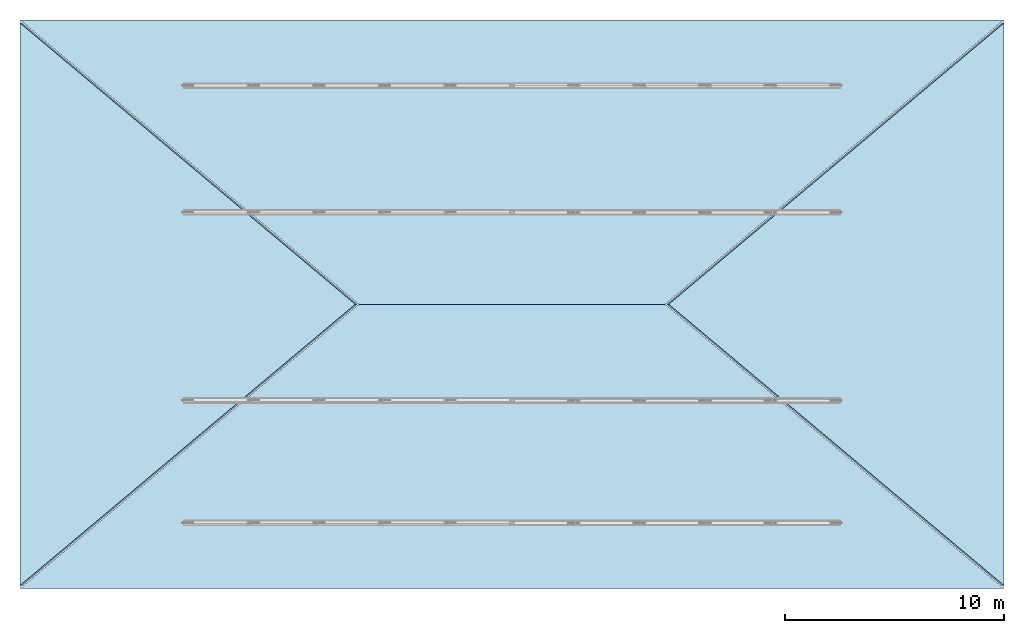
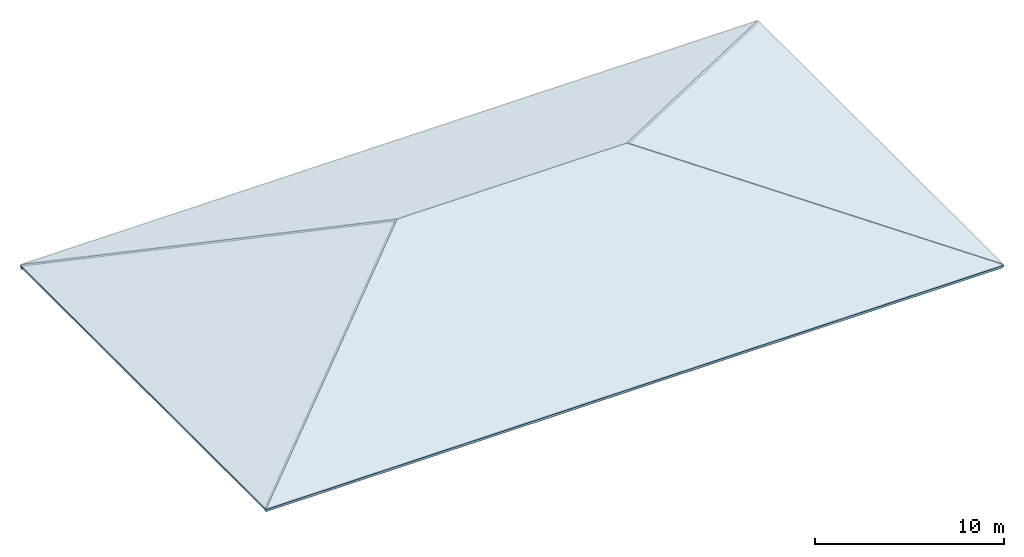
# One storey, part 4 of 6: 4 slabs, 1 element without a shape of its own.
"""IFC4 building model written with IfcOpenShell, lengths in metres."""

import ifcopenshell
import ifcopenshell.guid

model = None  # the IFC model being written
_history = None  # IfcOwnerHistory: only IFC2X3 demands one
_inside = {}  # id of a spatial element -> (the spatial element, [elements in it])
_under = {}  # id of a project, library or spatial element -> (it, [spatial elements below it])
_declared = {}  # id of a project -> (the project, [libraries it declares])
_typed = {}  # id of a type object -> (the type object, [elements of that type])
_made_of = {}  # id of a material, layer set ... -> (it, [elements and type objects made of it])


def new_model(schema):
    """Start an empty IFC model of exactly this schema.

    Asked for "IFC4X3", IfcOpenShell would pick the latest addendum, in which some entities
    have other attributes; the version numbers below select the first issue.
    IFC2X3 requires an IfcOwnerHistory on every rooted entity: one is made here for all.
    """
    global model, _history
    if schema == "IFC4X3":
        model = ifcopenshell.file(schema_version=(4, 3, 0, 0))
    else:
        model = ifcopenshell.file(schema=schema)
    _inside.clear()
    _under.clear()
    _declared.clear()
    _typed.clear()
    _made_of.clear()
    _history = None
    if model.schema == "IFC2X3":
        org = make("IfcOrganization", Name="unknown")
        user = make(
            "IfcPersonAndOrganization",
            ThePerson=make("IfcPerson", FamilyName="unknown"),
            TheOrganization=org,
        )
        app = make(
            "IfcApplication",
            ApplicationDeveloper=org,
            Version="unknown",
            ApplicationFullName="unknown",
            ApplicationIdentifier="unknown",
        )
        _history = make(
            "IfcOwnerHistory",
            OwningUser=user,
            OwningApplication=app,
            ChangeAction="ADDED",
            CreationDate=0,
        )
    return model


def make(cls, **values):
    """One entity of the class cls with the attributes given. An attribute that is None is left unset."""
    return model.create_entity(
        cls, **{name: value for name, value in values.items() if value is not None}
    )


def rooted(cls, **values):
    """An entity with a GlobalId (a new one), such as an element, a storey or a relation."""
    return make(cls, GlobalId=ifcopenshell.guid.new(), OwnerHistory=_history, **values)


def si_unit(unit_type, name, prefix=None):
    """IfcSIUnit, for example si_unit("LENGTHUNIT", "METRE", prefix="MILLI")."""
    return make("IfcSIUnit", UnitType=unit_type, Prefix=prefix, Name=name)


def assignment(units):
    """IfcUnitAssignment: the units of a project."""
    return None if units is None else make("IfcUnitAssignment", Units=units)


def point(xyz):
    """IfcCartesianPoint."""
    return None if xyz is None else make("IfcCartesianPoint", Coordinates=xyz)


def direction(xyz):
    """IfcDirection."""
    return None if xyz is None else make("IfcDirection", DirectionRatios=xyz)


def frame(location, z_axis=None, x_axis=None):
    """IfcAxis2Placement3D, a coordinate frame: its origin and axes. An axis left out is left unset."""
    return make(
        "IfcAxis2Placement3D",
        Location=point(location),
        Axis=direction(z_axis),
        RefDirection=direction(x_axis),
    )


def origin():
    """The frame at (0, 0, 0) with its axes left unset."""
    return frame((0.0, 0.0, 0.0))


def place(relative_to, where):
    """IfcLocalPlacement: puts the frame where relative to a parent placement (None: the world)."""
    return make(
        "IfcLocalPlacement", PlacementRelTo=relative_to, RelativePlacement=where
    )


def context(
    kind, dimensions, precision=None, world=None, true_north=None, identifier=None
):
    """IfcGeometricRepresentationContext, for example the 3D "Model" context."""
    return make(
        "IfcGeometricRepresentationContext",
        ContextIdentifier=identifier,
        ContextType=kind,
        CoordinateSpaceDimension=dimensions,
        Precision=precision,
        WorldCoordinateSystem=world,
        TrueNorth=true_north,
    )


def subcontext(parent, identifier, kind, view, scale=None):
    """IfcGeometricRepresentationSubContext, for example "Body" below "Model"."""
    return make(
        "IfcGeometricRepresentationSubContext",
        ContextIdentifier=identifier,
        ContextType=kind,
        ParentContext=parent,
        TargetScale=scale,
        TargetView=view,
    )


def project(units=None, contexts=None):
    """IfcProject with its units and contexts."""
    return rooted(
        "IfcProject",
        Name="project",
        RepresentationContexts=contexts,
        UnitsInContext=assignment(units),
    )


def spatial(cls, under=None, at=None, **own):
    """A site, building, storey or space (cls), placed at a placement, below another one or the project."""
    s = rooted(cls, ObjectPlacement=at, **own)
    if under is not None:
        _under.setdefault(under.id(), (under, []))[1].append(s)
    return s


def polyline(points):
    """IfcPolyline through the points."""
    return make("IfcPolyline", Points=[point(p) for p in points])


def outline(outer, holes=None, kind="AREA"):
    """IfcArbitraryClosedProfileDef: a profile drawn as a closed curve; with holes, ...WithVoids."""
    if holes is None:
        return make("IfcArbitraryClosedProfileDef", ProfileType=kind, OuterCurve=outer)
    return make(
        "IfcArbitraryProfileDefWithVoids",
        ProfileType=kind,
        OuterCurve=outer,
        InnerCurves=holes,
    )


def extrude(swept, where, along, depth):
    """IfcExtrudedAreaSolid: the profile swept, set in the frame where, extruded along a direction by depth."""
    return make(
        "IfcExtrudedAreaSolid",
        SweptArea=swept,
        Position=where,
        ExtrudedDirection=direction(along),
        Depth=depth,
    )


def shape(context_of_items, identifier, shape_type, items):
    """IfcShapeRepresentation: the items that make up one representation, for example the "Body"."""
    return make(
        "IfcShapeRepresentation",
        ContextOfItems=context_of_items,
        RepresentationIdentifier=identifier,
        RepresentationType=shape_type,
        Items=items,
    )


def material(Name=None, Category=None):
    """IfcMaterial."""
    return make("IfcMaterial", Name=Name, Category=Category)


def layer(
    of_material, thickness, ventilated=None, Name=None, Category=None, Priority=None
):
    """IfcMaterialLayer: one layer of a wall or slab, of a material (None: an air gap)."""
    return make(
        "IfcMaterialLayer",
        Material=of_material,
        LayerThickness=thickness,
        IsVentilated=ventilated,
        Name=Name,
        Category=Category,
        Priority=Priority,
    )


def layer_set(layers, Name=None):
    """IfcMaterialLayerSet."""
    return make("IfcMaterialLayerSet", MaterialLayers=layers, LayerSetName=Name)


def made_of(thing, what):
    """Note that an element or type object is made of a material, layer set ...; save() writes the relation."""
    if what is not None:
        _made_of.setdefault(what.id(), (what, []))[1].append(thing)
    return thing


def type_object(cls, material=None, **own):
    """A type object (cls), such as IfcWallType, which elements share."""
    return made_of(rooted(cls, **own), material)


def element(
    cls,
    number,
    at=None,
    inside=None,
    cuts=None,
    type_object=None,
    material=None,
    context=None,
    identifier="Body",
    shape_type=None,
    held_by="IfcProductDefinitionShape",
    body=None,
    shapes=None,
    **own,
):
    """One element of the class cls, such as IfcWall. Its Tag is "e" and its number.

    at: its placement. inside: the storey or other place that contains it. cuts: it is an
    opening in that element (IfcRelVoidsElement). A single representation is given by context,
    identifier, shape_type and body (its items); several are given by shapes. held_by: the class
    of the entity that holds the representations. save() writes the other relations.
    """
    e = rooted(cls, Tag="e%d" % number, ObjectPlacement=at, **own)
    if body is not None:
        shapes = [shape(context, identifier, shape_type, body)]
    if shapes is not None:
        e.Representation = make(held_by, Representations=shapes)
    if inside is not None:
        _inside.setdefault(inside.id(), (inside, []))[1].append(e)
    if cuts is not None:
        rooted(
            "IfcRelVoidsElement", RelatingBuildingElement=cuts, RelatedOpeningElement=e
        )
    if type_object is not None:
        _typed.setdefault(type_object.id(), (type_object, []))[1].append(e)
    return made_of(e, material)


def aggregate(whole, parts):
    """IfcRelAggregates: a whole, such as a stair, and the parts it consists of."""
    return rooted("IfcRelAggregates", RelatingObject=whole, RelatedObjects=parts)


def save(model, path):
    """Write the relations noted so far, then the file.

    IfcRelAggregates (storeys below a building ...), IfcRelContainedInSpatialStructure (elements
    in a storey), IfcRelDefinesByType, IfcRelAssociatesMaterial and IfcRelDeclares: one each for
    every whole, place, type object, material and project.
    """
    for whole, parts in _under.values():
        aggregate(whole, parts)
    for where, things in _inside.values():
        rooted(
            "IfcRelContainedInSpatialStructure",
            RelatedElements=things,
            RelatingStructure=where,
        )
    for kind, things in _typed.values():
        rooted("IfcRelDefinesByType", RelatedObjects=things, RelatingType=kind)
    for what, things in _made_of.values():
        rooted("IfcRelAssociatesMaterial", RelatedObjects=things, RelatingMaterial=what)
    for by, libraries in _declared.values():
        rooted("IfcRelDeclares", RelatingContext=by, RelatedDefinitions=libraries)
    model.write(path)


model = new_model("IFC4")

# Units and contexts
model_context = context("Model", 3, precision=1e-05, world=origin(), true_north=direction((0.0, 1.0)))
body_context = subcontext(model_context, "Body", "Model", "MODEL_VIEW")
ifc_project = project(units=[si_unit("LENGTHUNIT", "METRE"), si_unit("AREAUNIT", "SQUARE_METRE"), si_unit("VOLUMEUNIT", "CUBIC_METRE"), si_unit("PLANEANGLEUNIT", "RADIAN"), si_unit("MASSUNIT", "GRAM", prefix="KILO")], contexts=[model_context])

# Site, building, storey
site_placement = place(None, origin())
site = spatial("IfcSite", under=ifc_project, at=site_placement, CompositionType="ELEMENT")
building_placement = place(site_placement, origin())
building = spatial("IfcBuilding", under=site, at=building_placement, Name="Muzn Square Opera House", CompositionType="ELEMENT")
storey_placement = place(building_placement, frame((0.0, 0.0, 35.39990234375)))
storey = spatial("IfcBuildingStorey", under=building, at=storey_placement, Name="RF-2", CompositionType="ELEMENT", Elevation=35.39990234375)

# Roof, slabs
ifc_material_1 = material(Name="Patina green copper-zinc standing seam", Category="metal")
roof_type = type_object("IfcRoofType", Name="Hipped Fly Tower Roof Assembly", PredefinedType="HIP_ROOF", material=ifc_material_1)
roof_placement = place(storey_placement, origin())
roof = element("IfcRoof", 1, at=roof_placement, inside=storey, type_object=roof_type, Name="Fly Tower Hipped Acoustic Roof Assembly", PredefinedType="HIP_ROOF")
ifc_material_2 = material(Name="Concrete C40/50", Category="concrete")
ifc_layer = layer(ifc_material_2, 0.25, Name="Concrete C40/50", Category="concrete")
ifc_layer_set = layer_set([ifc_layer], Name="Concrete C40/50")
slab_type = type_object("IfcSlabType", Name="Roof Slab 250mm", PredefinedType="ROOF", material=ifc_layer_set)
slab_1_placement = place(storey_placement, frame((95.0, 85.60009765625, 5.400146484375), z_axis=(0.0, -0.383615202937, 0.923493029793), x_axis=(-1.0, 0.0, 0.0)))
slab_1 = element("IfcSlab", 2, at=slab_1_placement, type_object=slab_type, Name="Fly Tower Hipped Roof Slab FTSLB-S", PredefinedType="ROOF", context=body_context, shape_type="SweptSolid", body=[
    extrude(outline(polyline([(29.5, 14.076987676797463), (-15.5, 14.076987676797463), (0.0, 0.0), (14.0, 0.0), (29.5, 14.076987676797463)])), origin(), (0.0, 0.0, -1.0), 0.25),
])
slab_2_placement = place(storey_placement, frame((81.0, 85.60009765625, 5.400146484375), z_axis=(0.0, 0.383615202937, 0.923493029793), x_axis=(1.0, 0.0, 0.0)))
slab_2 = element("IfcSlab", 3, at=slab_2_placement, type_object=slab_type, Name="Fly Tower Hipped Roof Slab FTSLB-N", PredefinedType="ROOF", context=body_context, shape_type="SweptSolid", body=[
    extrude(outline(polyline([(29.5, 14.076987676797463), (-15.5, 14.076987676797463), (0.0, 0.0), (14.0, 0.0), (29.5, 14.076987676797463)])), origin(), (0.0, 0.0, -1.0), 0.25),
])
slab_3_placement = place(storey_placement, frame((80.8330078125, 85.60009765625, 5.342041015625), z_axis=(-0.329005211117, 0.0, 0.944328105617), x_axis=(-0.740271984048, 0.620869474679, -0.257911777641)))
slab_3 = element("IfcSlab", 4, at=slab_3_placement, type_object=slab_type, Name="Fly Tower Hipped Roof Slab FTSLB-W", PredefinedType="ROOF", context=body_context, shape_type="SweptSolid", body=[
    extrude(outline(polyline([(20.71266796922231, 1.1102230246251565e-15), (4.743923270015814, 20.162244064120756), (0.0, 0.0), (20.71266796922231, 1.1102230246251565e-15)])), origin(), (0.0, 0.0, -1.0), 0.25),
])
slab_4_placement = place(storey_placement, frame((95.1669921875, 85.60009765625, 5.342041015625), z_axis=(0.329005211117, 0.0, 0.944328105617), x_axis=(0.740266566597, -0.620876717972, -0.257909890193)))
slab_4 = element("IfcSlab", 5, at=slab_4_placement, type_object=slab_type, Name="Fly Tower Hipped Roof Slab FTSLB-E", PredefinedType="ROOF", context=body_context, shape_type="SweptSolid", body=[
    extrude(outline(polyline([(20.712819549568096, 4.440892098500626e-16), (4.74388855308469, 20.162096512990903), (0.0, 0.0), (20.712819549568096, 4.440892098500626e-16)])), origin(), (0.0, 0.0, -1.0), 0.25),
])
aggregate(roof, [slab_1, slab_2, slab_3, slab_4])

save(model, "model.ifc")
